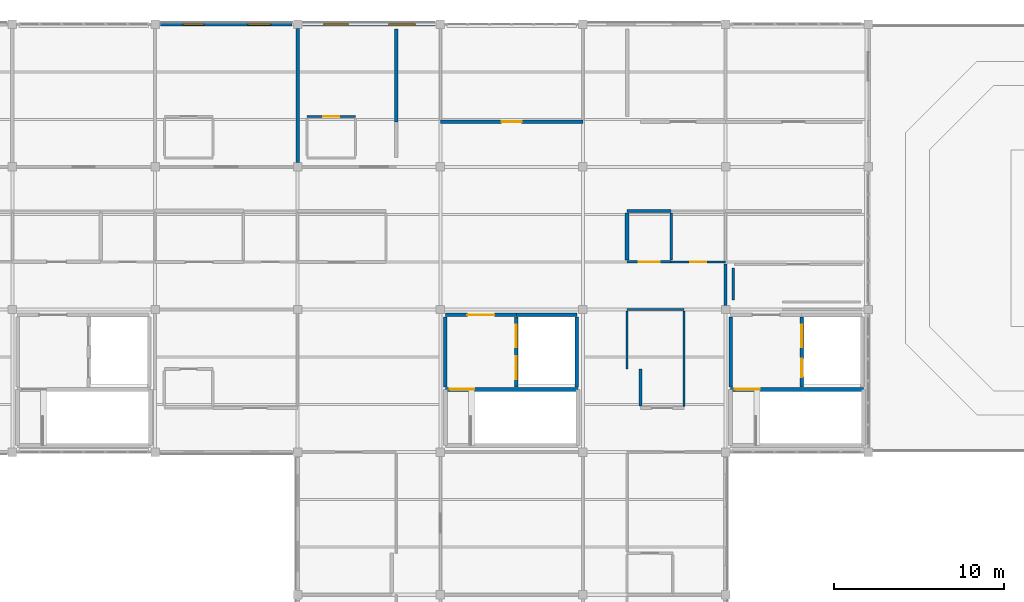
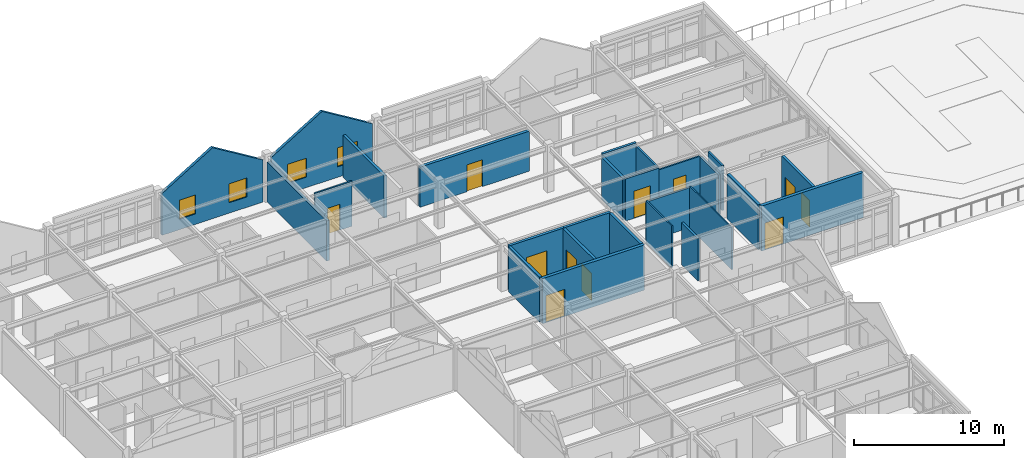
# One storey, part 42 of 45: 26 walls, 11 doors, 4 windows, 15 openings.
"""IFC4 building model written with IfcOpenShell, lengths in metres."""

from ifc_helpers import new_model, si_unit, direction, frame, frame_2d, origin, place, context, subcontext, project, spatial, polyline, rectangle, outline, extrude, material, layer, layer_set, type_object, element, fill, save


model = new_model("IFC4")

# Units and contexts
model_context = context("Model", 3, precision=1e-05, world=origin(), true_north=direction((0.0, 1.0)))
body_context = subcontext(model_context, "Body", "Model", "MODEL_VIEW")
ifc_project = project(units=[si_unit("LENGTHUNIT", "METRE"), si_unit("AREAUNIT", "SQUARE_METRE"), si_unit("VOLUMEUNIT", "CUBIC_METRE"), si_unit("PLANEANGLEUNIT", "RADIAN"), si_unit("MASSUNIT", "GRAM", prefix="KILO")], contexts=[model_context])

# Site, building, storey
site_placement = place(None, origin())
site = spatial("IfcSite", under=ifc_project, at=site_placement, CompositionType="ELEMENT")
building_placement = place(site_placement, origin())
building = spatial("IfcBuilding", under=site, at=building_placement, Name="Bramfleet General Hospital", CompositionType="ELEMENT")
storey_placement = place(building_placement, frame((0.0, 0.0, 30.300048828125)))
storey = spatial("IfcBuildingStorey", under=building, at=storey_placement, Name="L07", CompositionType="ELEMENT", Elevation=30.300048828125)

# Wall, openings, windows
ifc_material_1 = material(Name="Structural timber GL28h", Category="wood")
ifc_layer_1 = layer(ifc_material_1, 0.219970703125, Name="WT-EW-10")
ifc_layer_set_1 = layer_set([ifc_layer_1], Name="Structural timber GL28h")
wall_type_1 = type_object("IfcWallType", Name="WT-EW-10", PredefinedType="SOLIDWALL", material=ifc_layer_set_1)
wall_1_placement = place(storey_placement, frame((84.324951171875, 117.60009765625, 0.0), z_axis=(0.0, 0.0, 1.0), x_axis=(1.0, 0.0, 0.0)))
wall_1 = element("IfcWall", 1, at=wall_1_placement, inside=storey, type_object=wall_type_1, Name="L07 Exterior Wall 437", PredefinedType="SOLIDWALL", context=body_context, shape_type="SweptSolid", body=[
    extrude(outline(polyline([(0.0, 0.0), (7.75, 0.0), (7.75, 3.39990234375), (3.875, 5.76025390625), (0.0, 3.39990234375), (0.0, 0.0)])), frame((0.0, 0.10986328125, 0.0), z_axis=(0.0, -1.0, 0.0), x_axis=(1.0, 0.0, 0.0)), (0.0, 0.0, 1.0), 0.219970703125),
])
opening_1_placement = place(wall_1_placement, frame((1.3125, 0.0, 0.85009765625)))
opening_1 = element("IfcOpeningElement", 2, at=opening_1_placement, cuts=wall_1, Name="Opening W-23", PredefinedType="OPENING", context=body_context, shape_type="SweptSolid", body=[
    extrude(rectangle(XDim=1.25, YDim=1.5400390625, at=frame_2d((0.625, 0.77001953125))), frame((0.0, 0.119873046875, 0.0), z_axis=(0.0, -1.0, 0.0), x_axis=(1.0, 0.0, 0.0)), (0.0, 0.0, 1.0), 0.239990234375),
])
opening_2_placement = place(wall_1_placement, frame((5.137451171875, 0.0, 0.85009765625)))
opening_2 = element("IfcOpeningElement", 3, at=opening_2_placement, cuts=wall_1, Name="Opening W-24", PredefinedType="OPENING", context=body_context, shape_type="SweptSolid", body=[
    extrude(rectangle(XDim=1.35009765625, YDim=1.5400390625, at=frame_2d((0.675048828125, 0.77001953125))), frame((0.0, 0.119873046875, 0.0), z_axis=(0.0, -1.0, 0.0), x_axis=(1.0, 0.0, 0.0)), (0.0, 0.0, 1.0), 0.239990234375),
])
ifc_material_2 = material(Name="Anodised aluminium and low-E triple glazing", Category="aluminium")
window_type_1 = type_object("IfcWindowType", Name="WIN-W-23", PartitioningType="SINGLE_PANEL", PredefinedType="WINDOW", material=ifc_material_2)
window_1_placement = place(opening_1_placement, origin())
window_1 = element("IfcWindow", 4, at=window_1_placement, inside=storey, type_object=window_type_1, Name="L07 Facade Window WIN-L07-437-1", OverallHeight=1.5400390625, OverallWidth=1.25, PartitioningType="SINGLE_PANEL", PredefinedType="WINDOW", context=body_context, shape_type="SweptSolid", body=[
    extrude(rectangle(XDim=1.25, YDim=1.5400390625, at=frame_2d((0.625, 0.77001953125))), frame((0.0, 0.030029296875, 0.0), z_axis=(0.0, -1.0, 0.0), x_axis=(1.0, 0.0, 0.0)), (0.0, 0.0, 1.0), 0.06005859375),
])
fill(opening_1, window_1)
window_type_2 = type_object("IfcWindowType", Name="WIN-W-24", PartitioningType="SINGLE_PANEL", PredefinedType="WINDOW", material=ifc_material_2)
window_2_placement = place(opening_2_placement, origin())
window_2 = element("IfcWindow", 5, at=window_2_placement, inside=storey, type_object=window_type_2, Name="L07 Facade Window WIN-L07-437-2", OverallHeight=1.5400390625, OverallWidth=1.35009765625, PartitioningType="SINGLE_PANEL", PredefinedType="WINDOW", context=body_context, shape_type="SweptSolid", body=[
    extrude(rectangle(XDim=1.35009765625, YDim=1.5400390625, at=frame_2d((0.675048828125, 0.77001953125))), frame((0.0, 0.030029296875, 0.0), z_axis=(0.0, -1.0, 0.0), x_axis=(1.0, 0.0, 0.0)), (0.0, 0.0, 1.0), 0.06005859375),
])
fill(opening_2, window_2)

wall_2_placement = place(storey_placement, frame((92.72509765625, 117.60009765625, 0.0), z_axis=(0.0, 0.0, 1.0), x_axis=(1.0, 0.0, 0.0)))
wall_2 = element("IfcWall", 6, at=wall_2_placement, inside=storey, type_object=wall_type_1, Name="L07 Exterior Wall 438", PredefinedType="SOLIDWALL", context=body_context, shape_type="SweptSolid", body=[
    extrude(outline(polyline([(0.0, 0.0), (7.75, 0.0), (7.75, 3.39990234375), (3.875, 5.76025390625), (0.0, 3.39990234375), (0.0, 0.0)])), frame((0.0, 0.10986328125, 0.0), z_axis=(0.0, -1.0, 0.0), x_axis=(1.0, 0.0, 0.0)), (0.0, 0.0, 1.0), 0.219970703125),
])
opening_3_placement = place(wall_2_placement, frame((1.21240234375, 0.0, 0.85009765625)))
opening_3 = element("IfcOpeningElement", 7, at=opening_3_placement, cuts=wall_2, Name="Opening W-25", PredefinedType="OPENING", context=body_context, shape_type="SweptSolid", body=[
    extrude(rectangle(XDim=1.449951171875, YDim=1.5400390625, at=frame_2d((0.72509765625, 0.77001953125))), frame((0.0, 0.119873046875, 0.0), z_axis=(0.0, -1.0, 0.0), x_axis=(1.0, 0.0, 0.0)), (0.0, 0.0, 1.0), 0.239990234375),
])
opening_4_placement = place(wall_2_placement, frame((5.03759765625, 0.0, 0.85009765625)))
opening_4 = element("IfcOpeningElement", 8, at=opening_4_placement, cuts=wall_2, Name="Opening W-26", PredefinedType="OPENING", context=body_context, shape_type="SweptSolid", body=[
    extrude(rectangle(XDim=1.550048828125, YDim=1.5400390625, at=frame_2d((0.77490234375, 0.77001953125))), frame((0.0, 0.119873046875, 0.0), z_axis=(0.0, -1.0, 0.0), x_axis=(1.0, 0.0, 0.0)), (0.0, 0.0, 1.0), 0.239990234375),
])
window_type_3 = type_object("IfcWindowType", Name="WIN-W-25", PartitioningType="SINGLE_PANEL", PredefinedType="WINDOW", material=ifc_material_2)
window_3_placement = place(opening_3_placement, origin())
window_3 = element("IfcWindow", 9, at=window_3_placement, inside=storey, type_object=window_type_3, Name="L07 Facade Window WIN-L07-438-1", OverallHeight=1.5400390625, OverallWidth=1.449951171875, PartitioningType="SINGLE_PANEL", PredefinedType="WINDOW", context=body_context, shape_type="SweptSolid", body=[
    extrude(rectangle(XDim=1.449951171875, YDim=1.5400390625, at=frame_2d((0.72509765625, 0.77001953125))), frame((0.0, 0.030029296875, 0.0), z_axis=(0.0, -1.0, 0.0), x_axis=(1.0, 0.0, 0.0)), (0.0, 0.0, 1.0), 0.06005859375),
])
fill(opening_3, window_3)
window_type_4 = type_object("IfcWindowType", Name="WIN-W-26", PartitioningType="SINGLE_PANEL", PredefinedType="WINDOW", material=ifc_material_2)
window_4_placement = place(opening_4_placement, origin())
window_4 = element("IfcWindow", 10, at=window_4_placement, inside=storey, type_object=window_type_4, Name="L07 Facade Window WIN-L07-438-2", OverallHeight=1.5400390625, OverallWidth=1.550048828125, PartitioningType="SINGLE_PANEL", PredefinedType="WINDOW", context=body_context, shape_type="SweptSolid", body=[
    extrude(rectangle(XDim=1.550048828125, YDim=1.5400390625, at=frame_2d((0.77490234375, 0.77001953125))), frame((0.0, 0.030029296875, 0.0), z_axis=(0.0, -1.0, 0.0), x_axis=(1.0, 0.0, 0.0)), (0.0, 0.0, 1.0), 0.06005859375),
])
fill(opening_4, window_4)

# Wall, opening, door
ifc_material_3 = material(Name="Concrete C35/45", Category="concrete")
ifc_layer_2 = layer(ifc_material_3, 0.219970703125, Name="WT-IW-01")
ifc_layer_set_2 = layer_set([ifc_layer_2], Name="Concrete C35/45")
wall_type_2 = type_object("IfcWallType", Name="WT-IW-01", PredefinedType="PARTITIONING", material=ifc_layer_set_2)
wall_3_placement = place(storey_placement, frame((100.800048828125, 111.85009765625, 0.0), z_axis=(0.0, 0.0, 1.0), x_axis=(1.0, 0.0, 0.0)))
wall_3 = element("IfcWall", 11, at=wall_3_placement, inside=storey, type_object=wall_type_2, Name="L07 Interior Partition IW-L07-4237", PredefinedType="PARTITIONING", context=body_context, shape_type="SweptSolid", body=[
    extrude(rectangle(XDim=8.39990234375, YDim=0.219970703125, at=frame_2d((4.199951171875, 0.0))), origin(), (0.0, 0.0, 1.0), 3.25),
])
opening_5_placement = place(wall_3_placement, frame((3.610107421875, 0.0, 0.0)))
opening_5 = element("IfcOpeningElement", 12, at=opening_5_placement, cuts=wall_3, Name="Opening D1564", PredefinedType="OPENING", context=body_context, shape_type="SweptSolid", body=[
    extrude(rectangle(XDim=1.179931640625, YDim=2.179931640625, at=frame_2d((0.58984375, 1.08984375))), frame((0.0, 0.119873046875, 0.0), z_axis=(0.0, -1.0, 0.0), x_axis=(1.0, 0.0, 0.0)), (0.0, 0.0, 1.0), 0.239990234375),
])
ifc_material_4 = material(Name="Stainless steel and acoustic timber leaf", Category="steel")
door_type_1 = type_object("IfcDoorType", Name="DR-D-28", OperationType="NOTDEFINED", PredefinedType="DOOR", material=ifc_material_4)
door_1_placement = place(opening_5_placement, origin())
door_1 = element("IfcDoor", 13, at=door_1_placement, inside=storey, type_object=door_type_1, Name="Flat-Link Nurse Station and Medication Hub L07-1213 Door D1564", OperationType="SINGLE_SWING_LEFT", OverallHeight=2.179931640625, OverallWidth=1.179931640625, PredefinedType="DOOR", context=body_context, shape_type="SweptSolid", body=[
    extrude(rectangle(XDim=1.179931640625, YDim=2.179931640625, at=frame_2d((0.58984375, 1.08984375))), frame((0.0, 0.02490234375, 0.0), z_axis=(0.0, -1.0, 0.0), x_axis=(1.0, 0.0, 0.0)), (0.0, 0.0, 1.0), 0.050048828125),
])
fill(opening_5, door_1)

# Wall
wall_4_placement = place(storey_placement, frame((111.800048828125, 103.715087890625, 0.0), z_axis=(0.0, 0.0, 1.0), x_axis=(0.0, 1.0, 0.0)))
element("IfcWall", 14, at=wall_4_placement, inside=storey, type_object=wall_type_2, Name="L07 Interior Partition IW-L07-4321", PredefinedType="PARTITIONING", context=body_context, shape_type="SweptSolid", body=[
    extrude(rectangle(XDim=2.77001953125, YDim=0.219970703125, at=frame_2d((1.385009765625, 0.0))), origin(), (0.0, 0.0, 1.0), 3.409912109375),
])

# Wall, openings, doors
ifc_layer_3 = layer(ifc_material_3, 0.205078125, Name="WT-IW-02")
ifc_layer_set_3 = layer_set([ifc_layer_3], Name="Concrete C35/45")
wall_type_3 = type_object("IfcWallType", Name="WT-IW-02", PredefinedType="PARTITIONING", material=ifc_layer_set_3)
wall_5_placement = place(storey_placement, frame((105.280029296875, 96.239990234375, 0.0), z_axis=(0.0, 0.0, 1.0), x_axis=(0.0, 1.0, 0.0)))
wall_5 = element("IfcWall", 15, at=wall_5_placement, inside=storey, type_object=wall_type_3, Name="L07 C4 Lobby East Shaft Wall", PredefinedType="PARTITIONING", context=body_context, shape_type="SweptSolid", body=[
    extrude(rectangle(XDim=4.1201171875, YDim=0.205078125, at=frame_2d((2.06005859375, 0.0))), origin(), (0.0, 0.0, 1.0), 3.64990234375),
])
opening_6_placement = place(wall_5_placement, frame((0.445068359375, 0.0, 0.0)))
opening_6 = element("IfcOpeningElement", 16, at=opening_6_placement, cuts=wall_5, Name="Opening LD-FL-02-L07", PredefinedType="OPENING", context=body_context, shape_type="SweptSolid", body=[
    extrude(rectangle(XDim=1.35009765625, YDim=2.199951171875, at=frame_2d((0.675048828125, 1.10009765625))), frame((0.0, 0.112548828125, 0.0), z_axis=(0.0, -1.0, 0.0), x_axis=(1.0, 0.0, 0.0)), (0.0, 0.0, 1.0), 0.22509765625),
])
opening_7_placement = place(wall_5_placement, frame((2.324951171875, 0.0, 0.0)))
opening_7 = element("IfcOpeningElement", 17, at=opening_7_placement, cuts=wall_5, Name="Opening LD-BL-04-L07", PredefinedType="OPENING", context=body_context, shape_type="SweptSolid", body=[
    extrude(rectangle(XDim=1.35009765625, YDim=2.199951171875, at=frame_2d((0.675048828125, 1.10009765625))), frame((0.0, 0.112548828125, 0.0), z_axis=(0.0, -1.0, 0.0), x_axis=(1.0, 0.0, 0.0)), (0.0, 0.0, 1.0), 0.22509765625),
])
ifc_material_5 = material(Name="Brushed stainless steel 1.4301", Category="steel")
door_type_2 = type_object("IfcDoorType", Name="DR-LD-01", OperationType="NOTDEFINED", PredefinedType="DOOR", material=ifc_material_5)
door_2_placement = place(opening_6_placement, origin())
door_2 = element("IfcDoor", 18, at=door_2_placement, inside=storey, type_object=door_type_2, Name="L07 Lift FL-02 Sliding Landing Door", OperationType="SLIDING_TO_LEFT", OverallHeight=2.199951171875, OverallWidth=1.35009765625, PredefinedType="DOOR", context=body_context, shape_type="SweptSolid", body=[
    extrude(rectangle(XDim=1.35009765625, YDim=2.199951171875, at=frame_2d((0.675048828125, 1.10009765625))), frame((0.0, 0.02490234375, 0.0), z_axis=(0.0, -1.0, 0.0), x_axis=(1.0, 0.0, 0.0)), (0.0, 0.0, 1.0), 0.050048828125),
])
fill(opening_6, door_2)
door_3_placement = place(opening_7_placement, origin())
door_3 = element("IfcDoor", 19, at=door_3_placement, inside=storey, type_object=door_type_2, Name="L07 Lift BL-04 Sliding Landing Door", OperationType="SLIDING_TO_LEFT", OverallHeight=2.199951171875, OverallWidth=1.35009765625, PredefinedType="DOOR", context=body_context, shape_type="SweptSolid", body=[
    extrude(rectangle(XDim=1.35009765625, YDim=2.199951171875, at=frame_2d((0.675048828125, 1.10009765625))), frame((0.0, 0.02490234375, 0.0), z_axis=(0.0, -1.0, 0.0), x_axis=(1.0, 0.0, 0.0)), (0.0, 0.0, 1.0), 0.050048828125),
])
fill(opening_7, door_3)

# Walls
wall_6_placement = place(storey_placement, frame((108.85009765625, 96.239990234375, 0.0), z_axis=(0.0, 0.0, 1.0), x_axis=(0.0, 1.0, 0.0)))
element("IfcWall", 20, at=wall_6_placement, inside=storey, type_object=wall_type_3, Name="L07 C4 Lift Shaft East Wall", PredefinedType="PARTITIONING", context=body_context, shape_type="SweptSolid", body=[
    extrude(rectangle(XDim=4.1201171875, YDim=0.205078125, at=frame_2d((2.06005859375, 0.0))), origin(), (0.0, 0.0, 1.0), 3.64990234375),
])
wall_7_placement = place(storey_placement, frame((105.280029296875, 100.47998046875, 0.0), z_axis=(0.0, 0.0, 1.0), x_axis=(1.0, 0.0, 0.0)))
element("IfcWall", 21, at=wall_7_placement, inside=storey, type_object=wall_type_3, Name="L07 C4 Lift Shaft North Wall", PredefinedType="PARTITIONING", context=body_context, shape_type="SweptSolid", body=[
    extrude(rectangle(XDim=3.570068359375, YDim=0.205078125, at=frame_2d((1.78515625, 0.0))), origin(), (0.0, 0.0, 1.0), 3.64990234375),
])
wall_8_placement = place(storey_placement, frame((101.10009765625, 96.239990234375, 0.0), z_axis=(0.0, 0.0, 1.0), x_axis=(0.0, 1.0, 0.0)))
element("IfcWall", 22, at=wall_8_placement, inside=storey, type_object=wall_type_3, Name="L07 C4 Lobby West Compartment Wall", PredefinedType="PARTITIONING", context=body_context, shape_type="SweptSolid", body=[
    extrude(rectangle(XDim=4.1201171875, YDim=0.205078125, at=frame_2d((2.06005859375, 0.0))), origin(), (0.0, 0.0, 1.0), 3.64990234375),
])

# Wall, opening, door
wall_9_placement = place(storey_placement, frame((101.10009765625, 100.47998046875, 0.0), z_axis=(0.0, 0.0, 1.0), x_axis=(1.0, 0.0, 0.0)))
wall_9 = element("IfcWall", 23, at=wall_9_placement, inside=storey, type_object=wall_type_3, Name="L07 C4 Lobby North Compartment Wall", PredefinedType="PARTITIONING", context=body_context, shape_type="SweptSolid", body=[
    extrude(rectangle(XDim=4.179931640625, YDim=0.205078125, at=frame_2d((2.08984375, 0.0))), origin(), (0.0, 0.0, 1.0), 3.64990234375),
])
opening_8_placement = place(wall_9_placement, frame((1.2900390625, 0.0, 0.0)))
opening_8 = element("IfcOpeningElement", 24, at=opening_8_placement, cuts=wall_9, Name="Opening D0054", PredefinedType="OPENING", context=body_context, shape_type="SweptSolid", body=[
    extrude(rectangle(XDim=1.60009765625, YDim=2.25, at=frame_2d((0.800048828125, 1.125))), frame((0.0, 0.112548828125, 0.0), z_axis=(0.0, -1.0, 0.0), x_axis=(1.0, 0.0, 0.0)), (0.0, 0.0, 1.0), 0.22509765625),
])
door_type_3 = type_object("IfcDoorType", Name="DR-D-04", OperationType="NOTDEFINED", PredefinedType="DOOR", material=ifc_material_4)
door_4_placement = place(opening_8_placement, origin())
door_4 = element("IfcDoor", 25, at=door_4_placement, inside=storey, type_object=door_type_3, Name="L07 C4 Lobby Fire Door D0054", OperationType="DOUBLE_SWING_LEFT", OverallHeight=2.25, OverallWidth=1.60009765625, PredefinedType="DOOR", context=body_context, shape_type="SweptSolid", body=[
    extrude(rectangle(XDim=1.60009765625, YDim=2.25, at=frame_2d((0.800048828125, 1.125))), frame((0.0, 0.02490234375, 0.0), z_axis=(0.0, -1.0, 0.0), x_axis=(1.0, 0.0, 0.0)), (0.0, 0.0, 1.0), 0.050048828125),
])
fill(opening_8, door_4)

# Wall, openings, doors
wall_10_placement = place(storey_placement, frame((122.080078125, 96.239990234375, 0.0), z_axis=(0.0, 0.0, 1.0), x_axis=(0.0, 1.0, 0.0)))
wall_10 = element("IfcWall", 26, at=wall_10_placement, inside=storey, type_object=wall_type_3, Name="L07 C6 Lobby East Shaft Wall", PredefinedType="PARTITIONING", context=body_context, shape_type="SweptSolid", body=[
    extrude(rectangle(XDim=4.1201171875, YDim=0.205078125, at=frame_2d((2.06005859375, 0.0))), origin(), (0.0, 0.0, 1.0), 3.64990234375),
])
opening_9_placement = place(wall_10_placement, frame((0.570068359375, 0.0, 0.0)))
opening_9 = element("IfcOpeningElement", 27, at=opening_9_placement, cuts=wall_10, Name="Opening LD-PL-04-L07", PredefinedType="OPENING", context=body_context, shape_type="SweptSolid", body=[
    extrude(rectangle(XDim=1.10009765625, YDim=2.14990234375, at=frame_2d((0.550048828125, 1.074951171875))), frame((0.0, 0.112548828125, 0.0), z_axis=(0.0, -1.0, 0.0), x_axis=(1.0, 0.0, 0.0)), (0.0, 0.0, 1.0), 0.22509765625),
])
opening_10_placement = place(wall_10_placement, frame((2.324951171875, 0.0, 0.0)))
opening_10 = element("IfcOpeningElement", 28, at=opening_10_placement, cuts=wall_10, Name="Opening LD-GL-02-L07", PredefinedType="OPENING", context=body_context, shape_type="SweptSolid", body=[
    extrude(rectangle(XDim=1.35009765625, YDim=2.199951171875, at=frame_2d((0.675048828125, 1.10009765625))), frame((0.0, 0.112548828125, 0.0), z_axis=(0.0, -1.0, 0.0), x_axis=(1.0, 0.0, 0.0)), (0.0, 0.0, 1.0), 0.22509765625),
])
door_5_placement = place(opening_10_placement, origin())
door_5 = element("IfcDoor", 29, at=door_5_placement, inside=storey, type_object=door_type_2, Name="L07 Lift GL-02 Sliding Landing Door", OperationType="SLIDING_TO_LEFT", OverallHeight=2.199951171875, OverallWidth=1.35009765625, PredefinedType="DOOR", context=body_context, shape_type="SweptSolid", body=[
    extrude(rectangle(XDim=1.35009765625, YDim=2.199951171875, at=frame_2d((0.675048828125, 1.10009765625))), frame((0.0, 0.02490234375, 0.0), z_axis=(0.0, -1.0, 0.0), x_axis=(1.0, 0.0, 0.0)), (0.0, 0.0, 1.0), 0.050048828125),
])
fill(opening_10, door_5)
door_type_4 = type_object("IfcDoorType", Name="DR-LD-02", OperationType="NOTDEFINED", PredefinedType="DOOR", material=ifc_material_5)
door_6_placement = place(opening_9_placement, origin())
door_6 = element("IfcDoor", 30, at=door_6_placement, inside=storey, type_object=door_type_4, Name="L07 Lift PL-04 Sliding Landing Door", OperationType="SLIDING_TO_LEFT", OverallHeight=2.14990234375, OverallWidth=1.10009765625, PredefinedType="DOOR", context=body_context, shape_type="SweptSolid", body=[
    extrude(rectangle(XDim=1.10009765625, YDim=2.14990234375, at=frame_2d((0.550048828125, 1.074951171875))), frame((0.0, 0.02490234375, 0.0), z_axis=(0.0, -1.0, 0.0), x_axis=(1.0, 0.0, 0.0)), (0.0, 0.0, 1.0), 0.050048828125),
])
fill(opening_9, door_6)

# Walls
wall_11_placement = place(storey_placement, frame((117.89990234375, 96.239990234375, 0.0), z_axis=(0.0, 0.0, 1.0), x_axis=(0.0, 1.0, 0.0)))
element("IfcWall", 31, at=wall_11_placement, inside=storey, type_object=wall_type_3, Name="L07 C6 Lobby West Compartment Wall", PredefinedType="PARTITIONING", context=body_context, shape_type="SweptSolid", body=[
    extrude(rectangle(XDim=4.1201171875, YDim=0.205078125, at=frame_2d((2.06005859375, 0.0))), origin(), (0.0, 0.0, 1.0), 3.64990234375),
])
wall_12_placement = place(storey_placement, frame((92.39990234375, 109.445068359375, 0.0), z_axis=(0.0, 0.0, 1.0), x_axis=(0.0, 1.0, 0.0)))
element("IfcWall", 32, at=wall_12_placement, inside=storey, type_object=wall_type_3, Name="L07 Interior Partition IW-L07-4262", PredefinedType="PARTITIONING", context=body_context, shape_type="SweptSolid", body=[
    extrude(rectangle(XDim=7.909912109375, YDim=0.205078125, at=frame_2d((3.955078125, 0.0))), origin(), (0.0, 0.0, 1.0), 3.25),
])
wall_13_placement = place(storey_placement, frame((98.199951171875, 111.85009765625, 0.0), z_axis=(0.0, 0.0, 1.0), x_axis=(0.0, 1.0, 0.0)))
element("IfcWall", 33, at=wall_13_placement, inside=storey, type_object=wall_type_3, Name="L07 Interior Partition IW-L07-4286", PredefinedType="PARTITIONING", context=body_context, shape_type="SweptSolid", body=[
    extrude(rectangle(XDim=5.469970703125, YDim=0.205078125, at=frame_2d((2.73486328125, 0.0))), origin(), (0.0, 0.0, 1.0), 3.409912109375),
])
ifc_layer_4 = layer(ifc_material_3, 0.179931640625, Name="WT-IW-04")
ifc_layer_set_4 = layer_set([ifc_layer_4], Name="Concrete C35/45")
wall_type_4 = type_object("IfcWallType", Name="WT-IW-04", PredefinedType="PARTITIONING", material=ifc_layer_set_4)
wall_14_placement = place(storey_placement, frame((111.800048828125, 106.60009765625, 0.0), z_axis=(0.0, 0.0, 1.0), x_axis=(1.0, 0.0, 0.0)))
element("IfcWall", 34, at=wall_14_placement, inside=storey, type_object=wall_type_4, Name="L07 Interior Partition IW-L07-4228", PredefinedType="PARTITIONING", context=body_context, shape_type="SweptSolid", body=[
    extrude(rectangle(XDim=2.599853515625, YDim=0.179931640625, at=frame_2d((1.2998046875, 0.0))), origin(), (0.0, 0.0, 1.0), 3.64990234375),
])
wall_15_placement = place(storey_placement, frame((117.60009765625, 101.044921875, 0.0), z_axis=(0.0, 0.0, 1.0), x_axis=(0.0, 1.0, 0.0)))
element("IfcWall", 35, at=wall_15_placement, inside=storey, type_object=wall_type_4, Name="L07 Interior Partition IW-L07-4336", PredefinedType="PARTITIONING", context=body_context, shape_type="SweptSolid", body=[
    extrude(rectangle(XDim=2.440185546875, YDim=0.179931640625, at=frame_2d((1.22021484375, 0.0))), origin(), (0.0, 0.0, 1.0), 3.25),
])
ifc_material_6 = material(Name="Gypsum plasterboard on acoustic steel studs", Category="steel")
ifc_layer_5 = layer(ifc_material_6, 0.169921875, Name="WT-IW-05")
ifc_layer_set_5 = layer_set([ifc_layer_5], Name="Gypsum plasterboard on acoustic steel studs")
wall_type_5 = type_object("IfcWallType", Name="WT-IW-05", PredefinedType="PARTITIONING", material=ifc_layer_set_5)
wall_16_placement = place(storey_placement, frame((112.60009765625, 95.114990234375, 0.0), z_axis=(0.0, 0.0, 1.0), x_axis=(0.0, 1.0, 0.0)))
element("IfcWall", 36, at=wall_16_placement, inside=storey, type_object=wall_type_5, Name="L07 Interior Partition IW-L07-4325", PredefinedType="PARTITIONING", context=body_context, shape_type="SweptSolid", body=[
    extrude(rectangle(XDim=2.18505859375, YDim=0.169921875, at=frame_2d((1.092529296875, 0.0))), origin(), (0.0, 0.0, 1.0), 3.409912109375),
])

# Wall, opening, door
ifc_layer_6 = layer(ifc_material_6, 0.14990234375, Name="WT-IW-07")
ifc_layer_set_6 = layer_set([ifc_layer_6], Name="Gypsum plasterboard on acoustic steel studs")
wall_type_6 = type_object("IfcWallType", Name="WT-IW-07", PredefinedType="PARTITIONING", material=ifc_layer_set_6)
wall_17_placement = place(storey_placement, frame((111.800048828125, 103.60009765625, 0.0), z_axis=(0.0, 0.0, 1.0), x_axis=(1.0, 0.0, 0.0)))
wall_17 = element("IfcWall", 37, at=wall_17_placement, inside=storey, type_object=wall_type_6, Name="L07 Interior Partition IW-L07-4219", PredefinedType="PARTITIONING", context=body_context, shape_type="SweptSolid", body=[
    extrude(rectangle(XDim=2.599853515625, YDim=0.14990234375, at=frame_2d((1.2998046875, 0.0))), origin(), (0.0, 0.0, 1.0), 3.409912109375),
])
opening_11_placement = place(wall_17_placement, frame((0.675048828125, 0.0, 0.0)))
opening_11 = element("IfcOpeningElement", 38, at=opening_11_placement, cuts=wall_17, Name="Opening D1582", PredefinedType="OPENING", context=body_context, shape_type="SweptSolid", body=[
    extrude(rectangle(XDim=1.25, YDim=2.199951171875, at=frame_2d((0.625, 1.10009765625))), frame((0.0, 0.0849609375, 0.0), z_axis=(0.0, -1.0, 0.0), x_axis=(1.0, 0.0, 0.0)), (0.0, 0.0, 1.0), 0.169921875),
])
door_type_5 = type_object("IfcDoorType", Name="DR-D-14", OperationType="NOTDEFINED", PredefinedType="DOOR", material=ifc_material_4)
door_7_placement = place(opening_11_placement, origin())
door_7 = element("IfcDoor", 39, at=door_7_placement, inside=storey, type_object=door_type_5, Name="Flat-Link Nurse Station and Medication Hub L07-1312 Door D1582", OperationType="SINGLE_SWING_LEFT", OverallHeight=2.199951171875, OverallWidth=1.25, PredefinedType="DOOR", context=body_context, shape_type="SweptSolid", body=[
    extrude(rectangle(XDim=1.25, YDim=2.199951171875, at=frame_2d((0.625, 1.10009765625))), frame((0.0, 0.02490234375, 0.0), z_axis=(0.0, -1.0, 0.0), x_axis=(1.0, 0.0, 0.0)), (0.0, 0.0, 1.0), 0.050048828125),
])
fill(opening_11, door_7)

# Walls
wall_18_placement = place(storey_placement, frame((114.39990234375, 103.715087890625, 0.0), z_axis=(0.0, 0.0, 1.0), x_axis=(0.0, 1.0, 0.0)))
element("IfcWall", 40, at=wall_18_placement, inside=storey, type_object=wall_type_6, Name="L07 Interior Partition IW-L07-4327", PredefinedType="PARTITIONING", context=body_context, shape_type="SweptSolid", body=[
    extrude(rectangle(XDim=2.77001953125, YDim=0.14990234375, at=frame_2d((1.385009765625, 0.0))), origin(), (0.0, 0.0, 1.0), 3.409912109375),
])
wall_19_placement = place(storey_placement, frame((118.050048828125, 101.364990234375, 0.0), z_axis=(0.0, 0.0, 1.0), x_axis=(0.0, 1.0, 0.0)))
element("IfcWall", 41, at=wall_19_placement, inside=storey, type_object=wall_type_6, Name="L07 Interior Partition IW-L07-4339", PredefinedType="PARTITIONING", context=body_context, shape_type="SweptSolid", body=[
    extrude(rectangle(XDim=1.885009765625, YDim=0.14990234375, at=frame_2d((0.9423828125, 0.0))), origin(), (0.0, 0.0, 1.0), 3.64990234375),
])
ifc_layer_7 = layer(ifc_material_6, 0.139892578125, Name="WT-IW-08")
ifc_layer_set_7 = layer_set([ifc_layer_7], Name="Gypsum plasterboard on acoustic steel studs")
wall_type_7 = type_object("IfcWallType", Name="WT-IW-08", PredefinedType="PARTITIONING", material=ifc_layer_set_7)
wall_20_placement = place(storey_placement, frame((111.800048828125, 100.800048828125, 0.0), z_axis=(0.0, 0.0, 1.0), x_axis=(1.0, 0.0, 0.0)))
element("IfcWall", 42, at=wall_20_placement, inside=storey, type_object=wall_type_7, Name="L07 Interior Partition IW-L07-4208", PredefinedType="PARTITIONING", context=body_context, shape_type="SweptSolid", body=[
    extrude(rectangle(XDim=3.349853515625, YDim=0.139892578125, at=frame_2d((1.6748046875, 0.0))), origin(), (0.0, 0.0, 1.0), 3.25),
])

# Wall, opening, door
ifc_layer_8 = layer(ifc_material_6, 0.1201171875, Name="WT-IW-10")
ifc_layer_set_8 = layer_set([ifc_layer_8], Name="Gypsum plasterboard on acoustic steel studs")
wall_type_8 = type_object("IfcWallType", Name="WT-IW-10", PredefinedType="PARTITIONING", material=ifc_layer_set_8)
wall_21_placement = place(storey_placement, frame((114.39990234375, 103.60009765625, 0.0), z_axis=(0.0, 0.0, 1.0), x_axis=(1.0, 0.0, 0.0)))
wall_21 = element("IfcWall", 43, at=wall_21_placement, inside=storey, type_object=wall_type_8, Name="L07 Interior Partition IW-L07-4220", PredefinedType="PARTITIONING", context=body_context, shape_type="SweptSolid", body=[
    extrude(rectangle(XDim=3.2001953125, YDim=0.1201171875, at=frame_2d((1.60009765625, 0.0))), origin(), (0.0, 0.0, 1.0), 3.25),
])
opening_12_placement = place(wall_21_placement, frame((1.125, 0.0, 0.0)))
opening_12 = element("IfcOpeningElement", 44, at=opening_12_placement, cuts=wall_21, Name="Opening D1583", PredefinedType="OPENING", context=body_context, shape_type="SweptSolid", body=[
    extrude(rectangle(XDim=0.949951171875, YDim=2.10009765625, at=frame_2d((0.47509765625, 1.050048828125))), frame((0.0, 0.070068359375, 0.0), z_axis=(0.0, -1.0, 0.0), x_axis=(1.0, 0.0, 0.0)), (0.0, 0.0, 1.0), 0.14013671875),
])
door_type_6 = type_object("IfcDoorType", Name="DR-D-10", OperationType="NOTDEFINED", PredefinedType="DOOR", material=ifc_material_4)
door_8_placement = place(opening_12_placement, origin())
door_8 = element("IfcDoor", 45, at=door_8_placement, inside=storey, type_object=door_type_6, Name="Level 07 Accessible and Staff WC 1312 Door D1583", OperationType="SINGLE_SWING_LEFT", OverallHeight=2.10009765625, OverallWidth=0.949951171875, PredefinedType="DOOR", context=body_context, shape_type="SweptSolid", body=[
    extrude(rectangle(XDim=0.949951171875, YDim=2.10009765625, at=frame_2d((0.47509765625, 1.050048828125))), frame((0.0, 0.02490234375, 0.0), z_axis=(0.0, -1.0, 0.0), x_axis=(1.0, 0.0, 0.0)), (0.0, 0.0, 1.0), 0.050048828125),
])
fill(opening_12, door_8)

wall_22_placement = place(storey_placement, frame((92.949951171875, 112.169921875, 0.0), z_axis=(0.0, 0.0, 1.0), x_axis=(1.0, 0.0, 0.0)))
wall_22 = element("IfcWall", 46, at=wall_22_placement, inside=storey, type_object=wall_type_8, Name="L07 Interior Partition IW-L07-4241", PredefinedType="PARTITIONING", context=body_context, shape_type="SweptSolid", body=[
    extrude(rectangle(XDim=2.85009765625, YDim=0.1201171875, at=frame_2d((1.425048828125, 0.0))), origin(), (0.0, 0.0, 1.0), 3.64990234375),
])
opening_13_placement = place(wall_22_placement, frame((0.949951171875, 0.0, 0.0)))
opening_13 = element("IfcOpeningElement", 47, at=opening_13_placement, cuts=wall_22, Name="Opening D1555", PredefinedType="OPENING", context=body_context, shape_type="SweptSolid", body=[
    extrude(rectangle(XDim=0.949951171875, YDim=2.10009765625, at=frame_2d((0.47509765625, 1.050048828125))), frame((0.0, 0.070068359375, 0.0), z_axis=(0.0, -1.0, 0.0), x_axis=(1.0, 0.0, 0.0)), (0.0, 0.0, 1.0), 0.14013671875),
])
door_9_placement = place(opening_13_placement, origin())
door_9 = element("IfcDoor", 48, at=door_9_placement, inside=storey, type_object=door_type_6, Name="Patient House PH-03 En-Suite Bathroom 1113 Door D1555", OperationType="SINGLE_SWING_LEFT", OverallHeight=2.10009765625, OverallWidth=0.949951171875, PredefinedType="DOOR", context=body_context, shape_type="SweptSolid", body=[
    extrude(rectangle(XDim=0.949951171875, YDim=2.10009765625, at=frame_2d((0.47509765625, 1.050048828125))), frame((0.0, 0.02490234375, 0.0), z_axis=(0.0, -1.0, 0.0), x_axis=(1.0, 0.0, 0.0)), (0.0, 0.0, 1.0), 0.050048828125),
])
fill(opening_13, door_9)

# Walls
ifc_layer_9 = layer(ifc_material_6, 0.10009765625, Name="WT-IW-12")
ifc_layer_set_9 = layer_set([ifc_layer_9], Name="Gypsum plasterboard on acoustic steel studs")
wall_type_9 = type_object("IfcWallType", Name="WT-IW-12", PredefinedType="PARTITIONING", material=ifc_layer_set_9)
wall_23_placement = place(storey_placement, frame((111.800048828125, 97.300048828125, 0.0), z_axis=(0.0, 0.0, 1.0), x_axis=(0.0, 1.0, 0.0)))
element("IfcWall", 49, at=wall_23_placement, inside=storey, type_object=wall_type_9, Name="L07 Interior Partition IW-L07-4320", PredefinedType="PARTITIONING", context=body_context, shape_type="SweptSolid", body=[
    extrude(rectangle(XDim=3.385009765625, YDim=0.10009765625, at=frame_2d((1.6923828125, 0.0))), origin(), (0.0, 0.0, 1.0), 3.409912109375),
])
wall_24_placement = place(storey_placement, frame((115.14990234375, 95.114990234375, 0.0), z_axis=(0.0, 0.0, 1.0), x_axis=(0.0, 1.0, 0.0)))
element("IfcWall", 50, at=wall_24_placement, inside=storey, type_object=wall_type_9, Name="L07 Interior Partition IW-L07-4332", PredefinedType="PARTITIONING", context=body_context, shape_type="SweptSolid", body=[
    extrude(rectangle(XDim=5.570068359375, YDim=0.10009765625, at=frame_2d((2.78515625, 0.0))), origin(), (0.0, 0.0, 1.0), 3.409912109375),
])

# Wall, opening, door
ifc_material_7 = material(Name="Concrete C40/50", Category="concrete")
ifc_layer_10 = layer(ifc_material_7, 0.239990234375, Name="WT-SW-240")
ifc_layer_set_10 = layer_set([ifc_layer_10], Name="Concrete C40/50")
wall_type_10 = type_object("IfcWallType", Name="WT-SW-240", PredefinedType="SHEAR", material=ifc_layer_set_10)
wall_25_placement = place(storey_placement, frame((101.10009765625, 96.10009765625, 0.0), z_axis=(0.0, 0.0, 1.0), x_axis=(1.0, 0.0, 0.0)))
wall_25 = element("IfcWall", 51, at=wall_25_placement, inside=storey, type_object=wall_type_10, Name="L07 C4 Stair-Lobby Shear Wall", PredefinedType="SHEAR", context=body_context, shape_type="SweptSolid", body=[
    extrude(rectangle(XDim=7.81982421875, YDim=0.239990234375, at=frame_2d((3.909912109375, 0.0))), origin(), (0.0, 0.0, 1.0), 3.659912109375),
])
opening_14_placement = place(wall_25_placement, frame((0.25, 0.0, 0.0)))
opening_14 = element("IfcOpeningElement", 52, at=opening_14_placement, cuts=wall_25, Name="Opening D0053", PredefinedType="OPENING", context=body_context, shape_type="SweptSolid", body=[
    extrude(rectangle(XDim=1.449951171875, YDim=2.199951171875, at=frame_2d((0.72509765625, 1.10009765625))), frame((0.0, 0.1298828125, 0.0), z_axis=(0.0, -1.0, 0.0), x_axis=(1.0, 0.0, 0.0)), (0.0, 0.0, 1.0), 0.260009765625),
])
door_type_7 = type_object("IfcDoorType", Name="DR-D-03", OperationType="NOTDEFINED", PredefinedType="DOOR", material=ifc_material_4)
door_10_placement = place(opening_14_placement, origin())
door_10 = element("IfcDoor", 53, at=door_10_placement, inside=storey, type_object=door_type_7, Name="L07 C4 Escape Stair Fire Door D0053", OperationType="SINGLE_SWING_RIGHT", OverallHeight=2.199951171875, OverallWidth=1.449951171875, PredefinedType="DOOR", context=body_context, shape_type="SweptSolid", body=[
    extrude(rectangle(XDim=1.449951171875, YDim=2.199951171875, at=frame_2d((0.72509765625, 1.10009765625))), frame((0.0, 0.02490234375, 0.0), z_axis=(0.0, -1.0, 0.0), x_axis=(1.0, 0.0, 0.0)), (0.0, 0.0, 1.0), 0.050048828125),
])
fill(opening_14, door_10)

wall_26_placement = place(storey_placement, frame((117.89990234375, 96.10009765625, 0.0), z_axis=(0.0, 0.0, 1.0), x_axis=(1.0, 0.0, 0.0)))
wall_26 = element("IfcWall", 54, at=wall_26_placement, inside=storey, type_object=wall_type_10, Name="L07 C6 Stair-Lobby Shear Wall", PredefinedType="SHEAR", context=body_context, shape_type="SweptSolid", body=[
    extrude(rectangle(XDim=7.820068359375, YDim=0.239990234375, at=frame_2d((3.91015625, 0.0))), origin(), (0.0, 0.0, 1.0), 3.659912109375),
])
opening_15_placement = place(wall_26_placement, frame((0.25, 0.0, 0.0)))
opening_15 = element("IfcOpeningElement", 55, at=opening_15_placement, cuts=wall_26, Name="Opening D0089", PredefinedType="OPENING", context=body_context, shape_type="SweptSolid", body=[
    extrude(rectangle(XDim=1.449951171875, YDim=2.199951171875, at=frame_2d((0.72509765625, 1.10009765625))), frame((0.0, 0.1298828125, 0.0), z_axis=(0.0, -1.0, 0.0), x_axis=(1.0, 0.0, 0.0)), (0.0, 0.0, 1.0), 0.260009765625),
])
door_11_placement = place(opening_15_placement, origin())
door_11 = element("IfcDoor", 56, at=door_11_placement, inside=storey, type_object=door_type_7, Name="L07 C6 Escape Stair Fire Door D0089", OperationType="SINGLE_SWING_RIGHT", OverallHeight=2.199951171875, OverallWidth=1.449951171875, PredefinedType="DOOR", context=body_context, shape_type="SweptSolid", body=[
    extrude(rectangle(XDim=1.449951171875, YDim=2.199951171875, at=frame_2d((0.72509765625, 1.10009765625))), frame((0.0, 0.02490234375, 0.0), z_axis=(0.0, -1.0, 0.0), x_axis=(1.0, 0.0, 0.0)), (0.0, 0.0, 1.0), 0.050048828125),
])
fill(opening_15, door_11)

save(model, "model.ifc")
